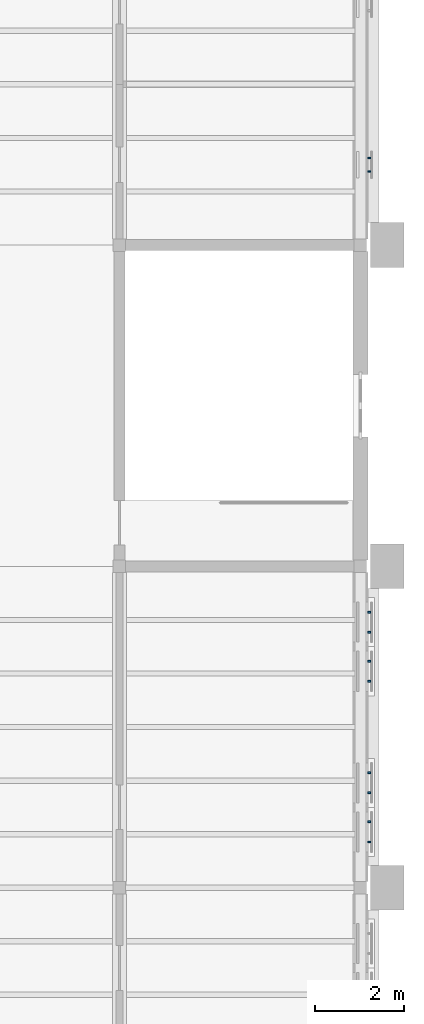
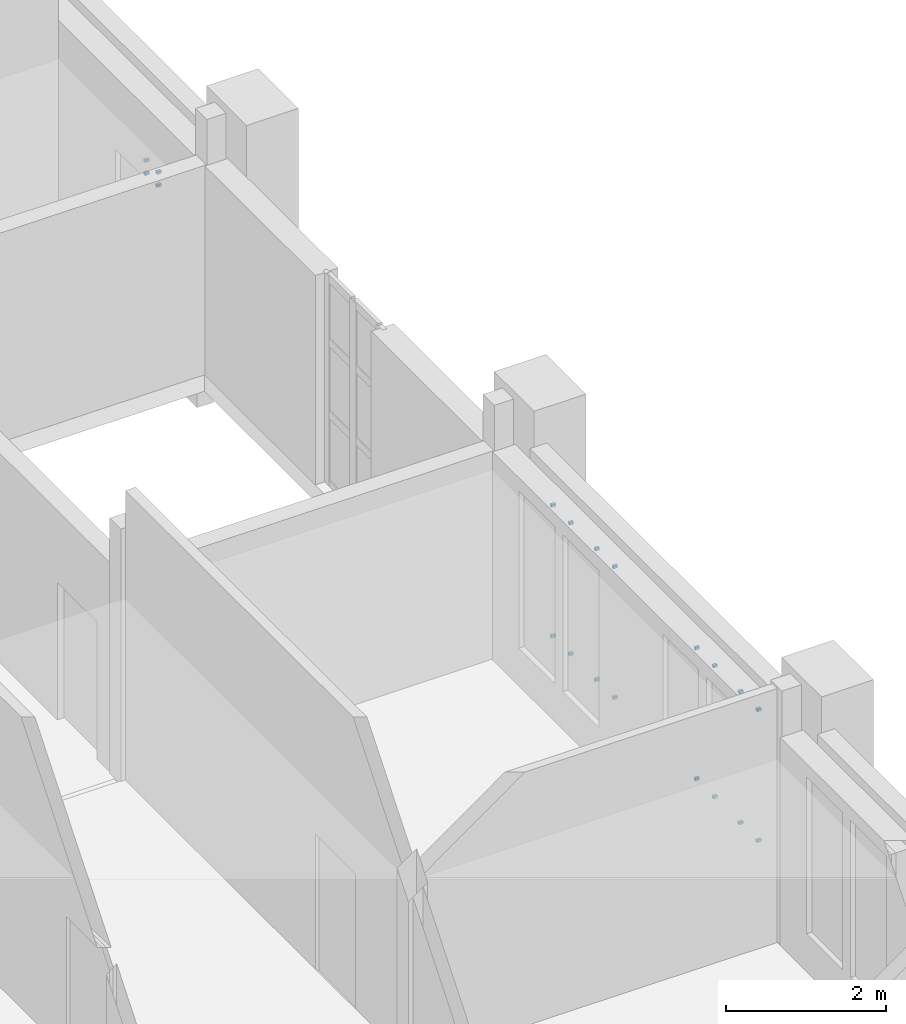
# One storey, part 57 of 71: 20 discrete accessories.
"""IFC4 building model written with IfcOpenShell, lengths in metres."""

from ifc_helpers import new_model, si_unit, direction, frame, origin, origin_2d, place, context, subcontext, project, spatial, rectangle, extrude, material, type_object, element, save


model = new_model("IFC4")

# Units and contexts
model_context = context("Model", 3, precision=1e-05, world=origin(), true_north=direction((0.0, 1.0)))
body_context = subcontext(model_context, "Body", "Model", "MODEL_VIEW")
ifc_project = project(units=[si_unit("LENGTHUNIT", "METRE"), si_unit("AREAUNIT", "SQUARE_METRE"), si_unit("VOLUMEUNIT", "CUBIC_METRE"), si_unit("PLANEANGLEUNIT", "RADIAN"), si_unit("MASSUNIT", "GRAM", prefix="KILO")], contexts=[model_context])

# Site, building, storey
site_placement = place(None, origin())
site = spatial("IfcSite", under=ifc_project, at=site_placement, CompositionType="ELEMENT")
building_placement = place(site_placement, origin())
building = spatial("IfcBuilding", under=site, at=building_placement, Name="Mazhai Court Health Centre", CompositionType="ELEMENT")
storey_placement = place(building_placement, frame((0.0, 0.0, 10.199951171875)))
storey = spatial("IfcBuildingStorey", under=building, at=storey_placement, Name="L02", CompositionType="ELEMENT", Elevation=10.199951171875)

# Discrete accessories
ifc_material = material(Name="Steel IS 2062 E250", Category="steel")
discrete_accessory_type = type_object("IfcDiscreteAccessoryType", Name="BRACKET 40", PredefinedType="BRACKET", material=ifc_material)
for number, where, z_axis, x_axis, name in (
    (1, (150.39501953125, 21.625, 0.780029296875), (0.0, 0.0, 1.0), (0.0, 1.0, 0.0), "BR-V6-L02-B20aa0"),
    (2, (150.39501953125, 21.625, 2.780029296875), (0.0, 0.0, 1.0), (0.0, 1.0, 0.0), "BR-V6-L02-B20aa1"),
    (3, (150.39501953125, 22.074951171875, 0.780029296875), (0.0, 0.0, 1.0), (0.0, 1.0, 0.0), "BR-V6-L02-B20ab0"),
    (4, (150.39501953125, 22.074951171875, 2.780029296875), (0.0, 0.0, 1.0), (0.0, 1.0, 0.0), "BR-V6-L02-B20ab1"),
    (5, (150.39501953125, 22.72509765625, 0.780029296875), (0.0, 0.0, 1.0), (0.0, 1.0, 0.0), "BR-V6-L02-B20ba0"),
    (6, (150.39501953125, 22.72509765625, 2.780029296875), (0.0, 0.0, 1.0), (0.0, 1.0, 0.0), "BR-V6-L02-B20ba1"),
    (7, (150.39501953125, 23.175048828125, 0.780029296875), (0.0, 0.0, 1.0), (0.0, 1.0, 0.0), "BR-V6-L02-B20bb0"),
    (8, (150.39501953125, 23.175048828125, 2.780029296875), (0.0, 0.0, 1.0), (0.0, 1.0, 0.0), "BR-V6-L02-B20bb1"),
    (9, (150.39501953125, 25.22509765625, 0.780029296875), (0.0, 0.0, 1.0), (0.0, 1.0, 0.0), "BR-V6-L02-B21aa0"),
    (10, (150.39501953125, 25.22509765625, 2.780029296875), (0.0, 0.0, 1.0), (0.0, 1.0, 0.0), "BR-V6-L02-B21aa1"),
    (11, (150.39501953125, 25.675048828125, 0.780029296875), (0.0, 0.0, 1.0), (0.0, 1.0, 0.0), "BR-V6-L02-B21ab0"),
    (12, (150.39501953125, 25.675048828125, 2.780029296875), (0.0, 0.0, 1.0), (0.0, 1.0, 0.0), "BR-V6-L02-B21ab1"),
    (13, (150.39501953125, 26.324951171875, 0.780029296875), (0.0, 0.0, 1.0), (0.0, 1.0, 0.0), "BR-V6-L02-B21ba0"),
    (14, (150.39501953125, 26.324951171875, 2.780029296875), (0.0, 0.0, 1.0), (0.0, 1.0, 0.0), "BR-V6-L02-B21ba1"),
    (15, (150.39501953125, 26.77490234375, 0.780029296875), (0.0, 0.0, 1.0), (0.0, 1.0, 0.0), "BR-V6-L02-B21bb0"),
    (16, (150.39501953125, 26.77490234375, 2.780029296875), (0.0, 0.0, 1.0), (0.0, 1.0, 0.0), "BR-V6-L02-B21bb1"),
    (17, (150.39501953125, 36.64990234375, 1.679931640625), (0.0, 0.0, 1.0), (0.0, 1.0, 0.0), "BR-V6-L02-B40a0"),
    (18, (150.39501953125, 36.64990234375, 1.880126953125), (0.0, 0.0, 1.0), (0.0, 1.0, 0.0), "BR-V6-L02-B40a1"),
    (19, (150.39501953125, 36.949951171875, 1.679931640625), (0.0, 0.0, 1.0), (0.0, 1.0, 0.0), "BR-V6-L02-B40b0"),
    (20, (150.39501953125, 36.949951171875, 1.880126953125), (0.0, 0.0, 1.0), (0.0, 1.0, 0.0), "BR-V6-L02-B40b1"),
):
    element("IfcDiscreteAccessory", number, at=place(storey_placement, frame(where, z_axis=z_axis, x_axis=x_axis)), inside=storey, type_object=discrete_accessory_type, Name=name, PredefinedType="BRACKET", context=body_context, shape_type="SweptSolid", body=[
        extrude(rectangle(XDim=0.0400390625, YDim=0.06005859375, at=origin_2d()), origin(), (0.0, 0.0, 1.0), 0.0400390625),
    ])

save(model, "model.ifc")
